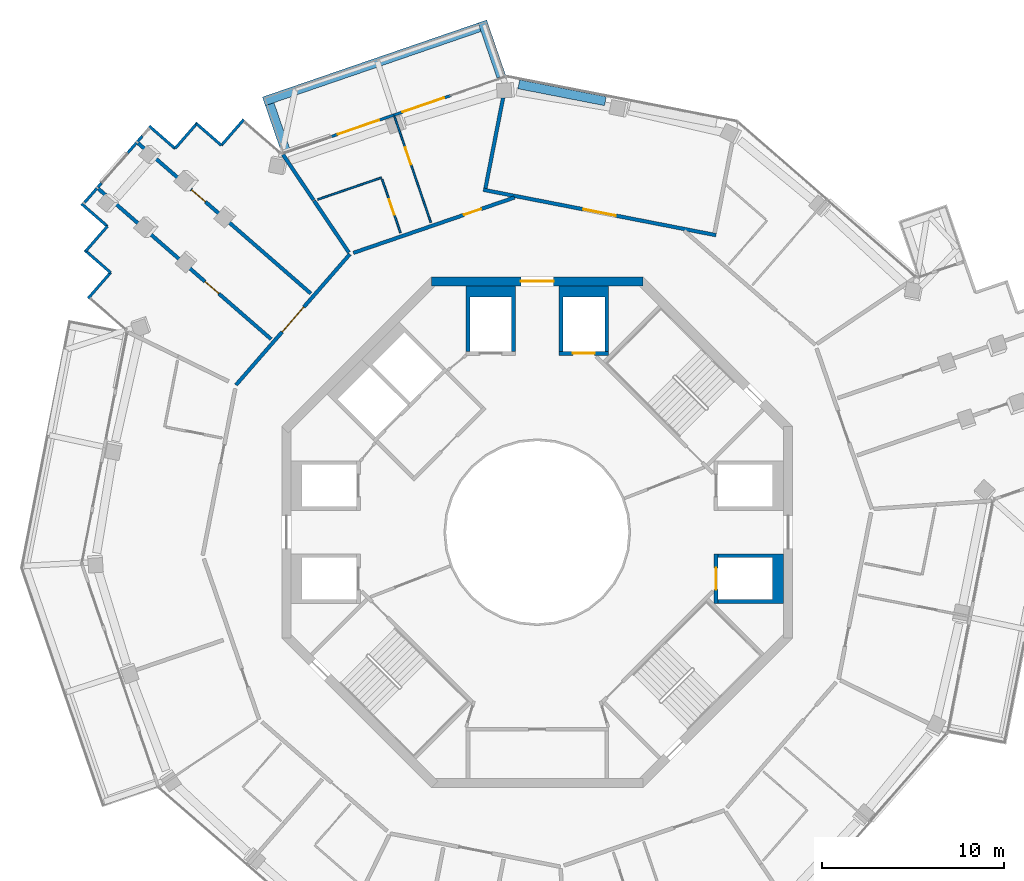
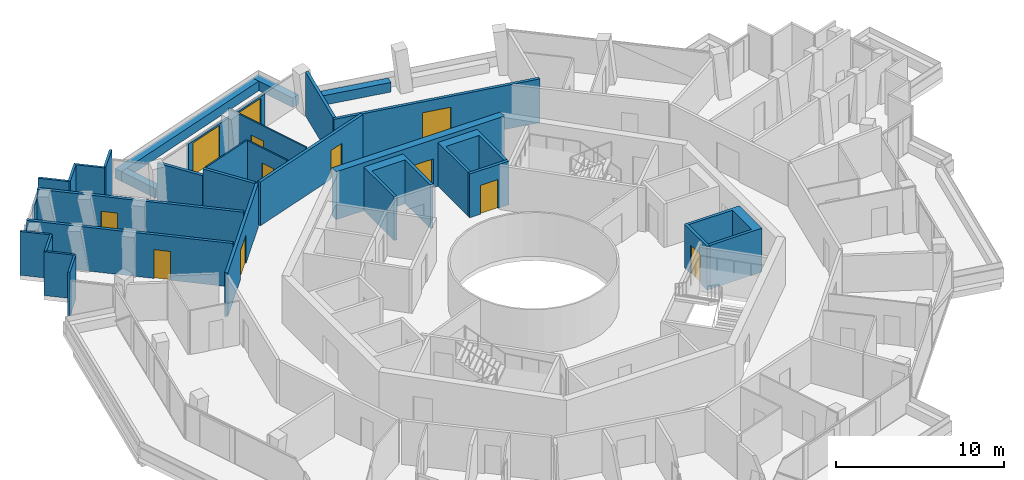
# One storey, part 17 of 22: 35 walls, 12 doors, 12 openings.
"""IFC4 building model written with IfcOpenShell, lengths in metres."""

from ifc_helpers import new_model, si_unit, direction, frame, frame_2d, origin, place, context, subcontext, project, spatial, polyline, rectangle, outline, extrude, material, layer, layer_set, type_object, element, fill, save


model = new_model("IFC4")

# Units and contexts
model_context = context("Model", 3, precision=1e-05, world=origin(), true_north=direction((0.0, 1.0)))
body_context = subcontext(model_context, "Body", "Model", "MODEL_VIEW")
ifc_project = project(units=[si_unit("LENGTHUNIT", "METRE"), si_unit("AREAUNIT", "SQUARE_METRE"), si_unit("VOLUMEUNIT", "CUBIC_METRE"), si_unit("PLANEANGLEUNIT", "RADIAN"), si_unit("MASSUNIT", "GRAM", prefix="KILO")], contexts=[model_context])

# Site, building, storey
site_placement = place(None, origin())
site = spatial("IfcSite", under=ifc_project, at=site_placement, CompositionType="ELEMENT")
building_placement = place(site_placement, origin())
building = spatial("IfcBuilding", under=site, at=building_placement, Name="Verdalira Terraces Hotel", CompositionType="ELEMENT")
storey_placement = place(building_placement, frame((0.0, 0.0, 234.0)))
storey = spatial("IfcBuildingStorey", under=building, at=storey_placement, Name="L57", CompositionType="ELEMENT", Elevation=234.0)

# Walls
ifc_material_1 = material(Name="Concrete C40", Category="concrete")
ifc_layer_1 = layer(ifc_material_1, 0.5)
ifc_layer_set_1 = layer_set([ifc_layer_1], Name="Balcony planter trough with tree")
wall_type_1 = type_object("IfcWallType", Name="Balcony planter trough with tree", PredefinedType="SOLIDWALL", material=ifc_layer_set_1)
wall_1_placement = place(storey_placement, frame((-1.971191, 24.973877, 0.0), z_axis=(0.0, 0.0, 1.0), x_axis=(-0.324892063, 0.945751102, 0.0)))
element("IfcWall", 1, at=wall_1_placement, inside=storey, type_object=wall_type_1, Name="Balcony planter", PredefinedType="SOLIDWALL", context=body_context, shape_type="SweptSolid", body=[
    extrude(rectangle(XDim=3.198975, YDim=0.5, at=frame_2d((1.599609, 0.0))), origin(), (0.0, 0.0, 1.0), 0.699951),
])
wall_2_placement = place(storey_placement, frame((-3.165771, 27.681641, 0.0), z_axis=(0.0, 0.0, 1.0), x_axis=(-0.945747002, -0.324903998, 0.0)))
element("IfcWall", 2, at=wall_2_placement, inside=storey, type_object=wall_type_1, Name="Balcony planter", PredefinedType="SOLIDWALL", context=body_context, shape_type="SweptSolid", body=[
    extrude(rectangle(XDim=12.5, YDim=0.5, at=frame_2d((6.25, 0.0))), origin(), (0.0, 0.0, 1.0), 0.699951),
])
wall_3_placement = place(storey_placement, frame((-14.669922, 23.465088, 0.0), z_axis=(0.0, 0.0, 1.0), x_axis=(0.324925551, -0.945739598, 0.0)))
element("IfcWall", 3, at=wall_3_placement, inside=storey, type_object=wall_type_1, Name="Balcony planter", PredefinedType="SOLIDWALL", context=body_context, shape_type="SweptSolid", body=[
    extrude(rectangle(XDim=2.698975, YDim=0.5, at=frame_2d((1.349609, 0.0))), origin(), (0.0, 0.0, 1.0), 0.699951),
])
ifc_material_2 = material(Name="Moisture-resistant gypsum board partition")
ifc_layer_2 = layer(ifc_material_2, 0.10009765625)
ifc_layer_set_2 = layer_set([ifc_layer_2], Name="Bathroom partition 100 mm")
wall_type_2 = type_object("IfcWallType", Name="Bathroom partition 100 mm", PredefinedType="PARTITIONING", material=ifc_layer_set_2)
wall_4_placement = place(storey_placement, frame((-8.537354, 19.439209, 0.0), z_axis=(0.0, 0.0, 1.0), x_axis=(-0.94573661, -0.324934246, 0.0)))
element("IfcWall", 4, at=wall_4_placement, inside=storey, type_object=wall_type_2, Name="Bathroom partition", PredefinedType="PARTITIONING", context=body_context, shape_type="SweptSolid", body=[
    extrude(rectangle(XDim=3.704102, YDim=0.100098, at=frame_2d((1.852051, 0.0))), origin(), (0.0, 0.0, 1.0), 3.189941),
])

# Wall, opening, door
wall_5_placement = place(storey_placement, frame((-7.497803, 16.412598, 0.0), z_axis=(0.0, 0.0, 1.0), x_axis=(-0.324861861, 0.945761477, 0.0)))
wall_5 = element("IfcWall", 5, at=wall_5_placement, inside=storey, type_object=wall_type_2, Name="Bathroom partition", PredefinedType="PARTITIONING", context=body_context, shape_type="SweptSolid", body=[
    extrude(rectangle(XDim=3.100098, YDim=0.100098, at=frame_2d((1.550049, 0.0))), origin(), (0.0, 0.0, 1.0), 3.189941),
])
opening_1_placement = place(wall_5_placement, frame((1.050049, 0.0, 0.0)))
opening_1 = element("IfcOpeningElement", 6, at=opening_1_placement, cuts=wall_5, Name="Opening L57-132", PredefinedType="OPENING", context=body_context, shape_type="SweptSolid", body=[
    extrude(rectangle(XDim=0.899902, YDim=2.100098, at=frame_2d((0.449951, 1.050049))), frame((0.0, 0.060059, 0.0), z_axis=(0.0, -1.0, 0.0), x_axis=(1.0, 0.0, 0.0)), (0.0, 0.0, 1.0), 0.120117),
])
ifc_material_3 = material(Name="Timber door", Category="wood")
door_type_1 = type_object("IfcDoorType", Name="Bathroom door 900 x 2100", OperationType="NOTDEFINED", PredefinedType="DOOR", material=ifc_material_3)
door_1_placement = place(opening_1_placement, origin())
door_1 = element("IfcDoor", 7, at=door_1_placement, inside=storey, type_object=door_type_1, Name="Bathroom door 5711", OperationType="SINGLE_SWING_RIGHT", OverallHeight=2.10009765625, OverallWidth=0.89990234375, PredefinedType="DOOR", context=body_context, shape_type="SweptSolid", body=[
    extrude(rectangle(XDim=0.899902, YDim=2.100098, at=frame_2d((0.449951, 1.050049))), frame((0.0, 0.024902, 0.0), z_axis=(0.0, -1.0, 0.0), x_axis=(1.0, 0.0, 0.0)), (0.0, 0.0, 1.0), 0.050049),
])
fill(opening_1, door_1)

wall_6_placement = place(storey_placement, frame((-5.834717, 16.983887, 0.0), z_axis=(0.0, 0.0, 1.0), x_axis=(-0.324920005, 0.945741503, 0.0)))
wall_6 = element("IfcWall", 8, at=wall_6_placement, inside=storey, type_object=wall_type_2, Name="Bathroom partition", PredefinedType="PARTITIONING", context=body_context, shape_type="SweptSolid", body=[
    extrude(rectangle(XDim=6.150146, YDim=0.100098, at=frame_2d((3.075195, 0.0))), origin(), (0.0, 0.0, 1.0), 3.189941),
])
opening_2_placement = place(wall_6_placement, frame((3.350098, 0.0, 0.0)))
opening_2 = element("IfcOpeningElement", 9, at=opening_2_placement, cuts=wall_6, Name="Opening L57-131", PredefinedType="OPENING", context=body_context, shape_type="SweptSolid", body=[
    extrude(rectangle(XDim=1.0, YDim=2.100098, at=frame_2d((0.5, 1.050049))), frame((0.0, 0.060059, 0.0), z_axis=(0.0, -1.0, 0.0), x_axis=(1.0, 0.0, 0.0)), (0.0, 0.0, 1.0), 0.120117),
])
ifc_material_4 = material(Name="Timber door", Category="wood")
door_type_2 = type_object("IfcDoorType", Name="Suite internal door 1000 x 2100", OperationType="NOTDEFINED", PredefinedType="DOOR", material=ifc_material_4)
door_2_placement = place(opening_2_placement, origin())
door_2 = element("IfcDoor", 10, at=door_2_placement, inside=storey, type_object=door_type_2, Name="Suite internal door 5711", OperationType="SINGLE_SWING_LEFT", OverallHeight=2.10009765625, OverallWidth=1.0, PredefinedType="DOOR", context=body_context, shape_type="SweptSolid", body=[
    extrude(rectangle(XDim=1.0, YDim=2.100098, at=frame_2d((0.5, 1.050049))), frame((0.0, 0.024902, 0.0), z_axis=(0.0, -1.0, 0.0), x_axis=(1.0, 0.0, 0.0)), (0.0, 0.0, 1.0), 0.050049),
])
fill(opening_2, door_2)

# Wall
ifc_material_5 = material(Name="Concrete C50", Category="concrete")
ifc_layer_3 = layer(ifc_material_5, 0.199951171875)
ifc_layer_set_3 = layer_set([ifc_layer_3], Name="Core RC wall 200 C50")
wall_type_3 = type_object("IfcWallType", Name="Core RC wall 200 C50", PredefinedType="SOLIDWALL", material=ifc_layer_set_3)
wall_7_placement = place(storey_placement, origin())
element("IfcWall", 11, at=wall_7_placement, inside=storey, type_object=wall_type_3, Name="L57 shaft wall E1", PredefinedType="SOLIDWALL", context=body_context, shape_type="SweptSolid", body=[
    extrude(outline(polyline([(13.5, -3.899902), (9.899902, -3.899902), (9.899902, -3.699951), (12.899902, -3.699951), (12.899902, -1.399902), (9.899902, -1.399902), (9.899902, -1.199951), (13.5, -1.199951), (13.5, -3.899902)])), origin(), (0.0, 0.0, 1.0), 3.189941),
])

# Wall, opening, door
wall_8_placement = place(storey_placement, frame((9.800049, -1.199951, 0.0), z_axis=(0.0, 0.0, 1.0), x_axis=(0.0, -1.0, 0.0)))
wall_8 = element("IfcWall", 12, at=wall_8_placement, inside=storey, type_object=wall_type_3, Name="L57 shaft front wall E1", PredefinedType="SOLIDWALL", context=body_context, shape_type="SweptSolid", body=[
    extrude(rectangle(XDim=2.699951, YDim=0.199951, at=frame_2d((1.350098, 0.0))), origin(), (0.0, 0.0, 1.0), 3.189941),
])
opening_3_placement = place(wall_8_placement, frame((0.75, 0.0, 0.0)))
opening_3 = element("IfcOpeningElement", 13, at=opening_3_placement, cuts=wall_8, Name="Opening LD-L57-802", PredefinedType="OPENING", context=body_context, shape_type="SweptSolid", body=[
    extrude(rectangle(XDim=1.199951, YDim=2.100098, at=frame_2d((0.600098, 1.050049))), frame((0.0, 0.109863, 0.0), z_axis=(0.0, -1.0, 0.0), x_axis=(1.0, 0.0, 0.0)), (0.0, 0.0, 1.0), 0.219971),
])
ifc_material_6 = material(Name="Stainless steel", Category="steel")
door_type_3 = type_object("IfcDoorType", Name="Landing door 1200 x 2100", OperationType="NOTDEFINED", PredefinedType="DOOR", material=ifc_material_6)
door_3_placement = place(opening_3_placement, origin())
door_3 = element("IfcDoor", 14, at=door_3_placement, inside=storey, type_object=door_type_3, Name="Lift landing door HR1 L57", OperationType="DOUBLE_DOOR_SLIDING", OverallHeight=2.10009765625, OverallWidth=1.199951171875, PredefinedType="DOOR", context=body_context, shape_type="SweptSolid", body=[
    extrude(rectangle(XDim=1.199951, YDim=2.100098, at=frame_2d((0.600098, 1.050049))), frame((0.0, 0.024902, 0.0), z_axis=(0.0, -1.0, 0.0), x_axis=(1.0, 0.0, 0.0)), (0.0, 0.0, 1.0), 0.050049),
])
fill(opening_3, door_3)

# Wall
wall_9_placement = place(storey_placement, origin())
element("IfcWall", 15, at=wall_9_placement, inside=storey, type_object=wall_type_3, Name="L57 shaft wall N1", PredefinedType="SOLIDWALL", context=body_context, shape_type="SweptSolid", body=[
    extrude(outline(polyline([(3.899902, 9.899902), (3.699951, 9.899902), (3.699951, 12.899902), (1.399902, 12.899902), (1.399902, 9.899902), (1.199951, 9.899902), (1.199951, 13.5), (3.899902, 13.5), (3.899902, 9.899902)])), origin(), (0.0, 0.0, 1.0), 3.189941),
])

# Wall, opening, door
wall_10_placement = place(storey_placement, frame((1.199951, 9.800049, 0.0), z_axis=(0.0, 0.0, 1.0), x_axis=(1.0, 0.0, 0.0)))
wall_10 = element("IfcWall", 16, at=wall_10_placement, inside=storey, type_object=wall_type_3, Name="L57 shaft front wall N1", PredefinedType="SOLIDWALL", context=body_context, shape_type="SweptSolid", body=[
    extrude(rectangle(XDim=2.699951, YDim=0.199951, at=frame_2d((1.350098, 0.0))), origin(), (0.0, 0.0, 1.0), 3.189941),
])
opening_4_placement = place(wall_10_placement, frame((0.75, 0.0, 0.0)))
opening_4 = element("IfcOpeningElement", 17, at=opening_4_placement, cuts=wall_10, Name="Opening LD-L57-804", PredefinedType="OPENING", context=body_context, shape_type="SweptSolid", body=[
    extrude(rectangle(XDim=1.199951, YDim=2.100098, at=frame_2d((0.600098, 1.050049))), frame((0.0, 0.109863, 0.0), z_axis=(0.0, -1.0, 0.0), x_axis=(1.0, 0.0, 0.0)), (0.0, 0.0, 1.0), 0.219971),
])
door_4_placement = place(opening_4_placement, origin())
door_4 = element("IfcDoor", 18, at=door_4_placement, inside=storey, type_object=door_type_3, Name="Lift landing door HR3 L57", OperationType="DOUBLE_DOOR_SLIDING", OverallHeight=2.10009765625, OverallWidth=1.199951171875, PredefinedType="DOOR", context=body_context, shape_type="SweptSolid", body=[
    extrude(rectangle(XDim=1.199951, YDim=2.100098, at=frame_2d((0.600098, 1.050049))), frame((0.0, 0.024902, 0.0), z_axis=(0.0, -1.0, 0.0), x_axis=(1.0, 0.0, 0.0)), (0.0, 0.0, 1.0), 0.050049),
])
fill(opening_4, door_4)

# Wall
wall_11_placement = place(storey_placement, origin())
element("IfcWall", 19, at=wall_11_placement, inside=storey, type_object=wall_type_3, Name="L57 shaft wall N2", PredefinedType="SOLIDWALL", context=body_context, shape_type="SweptSolid", body=[
    extrude(outline(polyline([(-3.899902, 13.5), (-1.199951, 13.5), (-1.199951, 9.899902), (-1.399902, 9.899902), (-1.399902, 12.899902), (-3.699951, 12.899902), (-3.699951, 9.899902), (-3.899902, 9.899902), (-3.899902, 13.5)])), origin(), (0.0, 0.0, 1.0), 3.189941),
])

# Wall, opening, door
ifc_material_7 = material(Name="Concrete C50", Category="concrete")
ifc_layer_4 = layer(ifc_material_7, 0.5)
ifc_layer_set_4 = layer_set([ifc_layer_4], Name="Core wall 500 C50")
wall_type_4 = type_object("IfcWallType", Name="Core wall 500 C50", PredefinedType="SHEAR", material=ifc_layer_set_4)
wall_12_placement = place(storey_placement, frame((5.799072, 13.75, 0.0), z_axis=(0.0, 0.0, 1.0), x_axis=(-1.0, 0.0, 0.0)))
wall_12 = element("IfcWall", 20, at=wall_12_placement, inside=storey, type_object=wall_type_4, Name="Core wall CW-L57-3", PredefinedType="SHEAR", context=body_context, shape_type="SweptSolid", body=[
    extrude(rectangle(XDim=11.598145, YDim=0.5, at=frame_2d((5.799072, 0.0))), origin(), (0.0, 0.0, 1.0), 3.5),
])
opening_5_placement = place(wall_12_placement, frame((4.898926, 0.0, 0.0)))
opening_5 = element("IfcOpeningElement", 21, at=opening_5_placement, cuts=wall_12, Name="Opening L57-814", PredefinedType="OPENING", context=body_context, shape_type="SweptSolid", body=[
    extrude(rectangle(XDim=1.800049, YDim=2.100098, at=frame_2d((0.899902, 1.050049))), frame((0.0, 0.26001, 0.0), z_axis=(0.0, -1.0, 0.0), x_axis=(1.0, 0.0, 0.0)), (0.0, 0.0, 1.0), 0.52002),
])
ifc_material_8 = material(Name="Steel fire door", Category="steel")
door_type_4 = type_object("IfcDoorType", Name="Core entry door pair 1800 x 2100", OperationType="NOTDEFINED", PredefinedType="DOOR", material=ifc_material_8)
door_5_placement = place(opening_5_placement, origin())
door_5 = element("IfcDoor", 22, at=door_5_placement, inside=storey, type_object=door_type_4, Name="Core entry door L57 2", OperationType="DOUBLE_DOOR_SINGLE_SWING", OverallHeight=2.10009765625, OverallWidth=1.800048828125, PredefinedType="DOOR", context=body_context, shape_type="SweptSolid", body=[
    extrude(rectangle(XDim=1.800049, YDim=2.100098, at=frame_2d((0.899902, 1.050049))), frame((0.0, 0.024902, 0.0), z_axis=(0.0, -1.0, 0.0), x_axis=(1.0, 0.0, 0.0)), (0.0, 0.0, 1.0), 0.050049),
])
fill(opening_5, door_5)

ifc_material_9 = material(Name="Fire-rated gypsum board wall")
ifc_layer_5 = layer(ifc_material_9, 0.199951171875)
ifc_layer_set_5 = layer_set([ifc_layer_5], Name="Demising wall 200 mm")
wall_type_5 = type_object("IfcWallType", Name="Demising wall 200 mm", PredefinedType="SOLIDWALL", material=ifc_layer_set_5)
wall_13_placement = place(storey_placement, frame((-14.594238, 10.585938, 0.0), z_axis=(0.0, 0.0, 1.0), x_axis=(-0.754250867, 0.656586346, 0.0)))
wall_13 = element("IfcWall", 23, at=wall_13_placement, inside=storey, type_object=wall_type_5, Name="Demising wall", PredefinedType="SOLIDWALL", context=body_context, shape_type="SweptSolid", body=[
    extrude(rectangle(XDim=12.556396, YDim=0.199951, at=frame_2d((6.27832, 0.0))), origin(), (0.0, 0.0, 1.0), 3.189941),
])
opening_6_placement = place(wall_13_placement, frame((3.800049, 0.0, 0.0)))
opening_6 = element("IfcOpeningElement", 24, at=opening_6_placement, cuts=wall_13, Name="Opening L57-103", PredefinedType="OPENING", context=body_context, shape_type="SweptSolid", body=[
    extrude(rectangle(XDim=1.0, YDim=2.100098, at=frame_2d((0.5, 1.050049))), frame((0.0, 0.109863, 0.0), z_axis=(0.0, -1.0, 0.0), x_axis=(1.0, 0.0, 0.0)), (0.0, 0.0, 1.0), 0.219971),
])
ifc_material_10 = material(Name="Timber fire door", Category="wood")
door_type_5 = type_object("IfcDoorType", Name="Public room door 1000 x 2100", OperationType="NOTDEFINED", PredefinedType="DOOR", material=ifc_material_10)
door_6_placement = place(opening_6_placement, origin())
door_6 = element("IfcDoor", 25, at=door_6_placement, inside=storey, type_object=door_type_5, Name="Public room door 5701", OperationType="SINGLE_SWING_LEFT", OverallHeight=2.10009765625, OverallWidth=1.0, PredefinedType="DOOR", context=body_context, shape_type="SweptSolid", body=[
    extrude(rectangle(XDim=1.0, YDim=2.100098, at=frame_2d((0.5, 1.050049))), frame((0.0, 0.024902, 0.0), z_axis=(0.0, -1.0, 0.0), x_axis=(1.0, 0.0, 0.0)), (0.0, 0.0, 1.0), 0.050049),
])
fill(opening_6, door_6)

wall_14_placement = place(storey_placement, frame((-21.888672, 21.330566, 0.0), z_axis=(0.0, 0.0, 1.0), x_axis=(0.754259249, -0.656576717, 0.0)))
wall_14 = element("IfcWall", 26, at=wall_14_placement, inside=storey, type_object=wall_type_5, Name="Demising wall", PredefinedType="SOLIDWALL", context=body_context, shape_type="SweptSolid", body=[
    extrude(rectangle(XDim=12.556641, YDim=0.199951, at=frame_2d((6.27832, 0.0))), origin(), (0.0, 0.0, 1.0), 3.189941),
])
opening_7_placement = place(wall_14_placement, frame((3.899902, 0.0, 0.0)))
opening_7 = element("IfcOpeningElement", 27, at=opening_7_placement, cuts=wall_14, Name="Opening L57-102", PredefinedType="OPENING", context=body_context, shape_type="SweptSolid", body=[
    extrude(rectangle(XDim=1.0, YDim=2.100098, at=frame_2d((0.5, 1.050049))), frame((0.0, 0.109863, 0.0), z_axis=(0.0, -1.0, 0.0), x_axis=(1.0, 0.0, 0.0)), (0.0, 0.0, 1.0), 0.219971),
])
door_7_placement = place(opening_7_placement, origin())
door_7 = element("IfcDoor", 28, at=door_7_placement, inside=storey, type_object=door_type_5, Name="Public room door 5701", OperationType="SINGLE_SWING_LEFT", OverallHeight=2.10009765625, OverallWidth=1.0, PredefinedType="DOOR", context=body_context, shape_type="SweptSolid", body=[
    extrude(rectangle(XDim=1.0, YDim=2.100098, at=frame_2d((0.5, 1.050049))), frame((0.0, 0.024902, 0.0), z_axis=(0.0, -1.0, 0.0), x_axis=(1.0, 0.0, 0.0)), (0.0, 0.0, 1.0), 0.050049),
])
fill(opening_7, door_7)

# Walls
wall_15_placement = place(storey_placement, frame((-12.237305, 18.169922, 0.0), z_axis=(0.0, 0.0, 1.0), x_axis=(0.558600379, -0.829436927, 0.0)))
element("IfcWall", 29, at=wall_15_placement, inside=storey, type_object=wall_type_5, Name="Demising wall", PredefinedType="SOLIDWALL", context=body_context, shape_type="SweptSolid", body=[
    extrude(rectangle(XDim=3.418213, YDim=0.199951, at=frame_2d((1.708984, 0.0))), origin(), (0.0, 0.0, 1.0), 3.189941),
])
ifc_material_11 = material(Name="Fire-rated gypsum board wall")
ifc_layer_6 = layer(ifc_material_11, 0.199951171875)
ifc_layer_set_6 = layer_set([ifc_layer_6], Name="Demising wall 200 mm to beam soffit")
wall_type_6 = type_object("IfcWallType", Name="Demising wall 200 mm to beam soffit", PredefinedType="SOLIDWALL", material=ifc_layer_set_6)
wall_16_placement = place(storey_placement, frame((-13.945312, 20.705811, 0.0), z_axis=(0.0, 0.0, 1.0), x_axis=(0.558585582, -0.829446893, 0.0)))
element("IfcWall", 30, at=wall_16_placement, inside=storey, type_object=wall_type_6, Name="Demising wall", PredefinedType="SOLIDWALL", context=body_context, shape_type="SweptSolid", body=[
    extrude(rectangle(XDim=3.011475, YDim=0.199951, at=frame_2d((1.505859, 0.0))), origin(), (0.0, 0.0, 1.0), 2.689941),
])

# Wall, opening, door
ifc_material_12 = material(Name="Fire-rated gypsum board wall")
ifc_layer_7 = layer(ifc_material_12, 0.199951171875)
ifc_layer_set_7 = layer_set([ifc_layer_7], Name="Guest corridor wall 200 mm")
wall_type_7 = type_object("IfcWallType", Name="Guest corridor wall 200 mm", PredefinedType="SOLIDWALL", material=ifc_layer_set_7)
wall_17_placement = place(storey_placement, frame((-16.518555, 8.070801, 0.0), z_axis=(0.0, 0.0, 1.0), x_axis=(0.656586376, 0.754250841, 0.0)))
wall_17 = element("IfcWall", 31, at=wall_17_placement, inside=storey, type_object=wall_type_7, Name="Guest corridor wall", PredefinedType="SOLIDWALL", context=body_context, shape_type="SweptSolid", body=[
    extrude(rectangle(XDim=9.516602, YDim=0.199951, at=frame_2d((4.758301, 0.0))), origin(), (0.0, 0.0, 1.0), 3.189941),
])
opening_8_placement = place(wall_17_placement, frame((3.860596, 0.0, 0.0)))
opening_8 = element("IfcOpeningElement", 32, at=opening_8_placement, cuts=wall_17, Name="Opening L57-101", PredefinedType="OPENING", context=body_context, shape_type="SweptSolid", body=[
    extrude(rectangle(XDim=1.800049, YDim=2.100098, at=frame_2d((0.899902, 1.050049))), frame((0.0, 0.109863, 0.0), z_axis=(0.0, -1.0, 0.0), x_axis=(1.0, 0.0, 0.0)), (0.0, 0.0, 1.0), 0.219971),
])
ifc_material_13 = material(Name="Timber fire door", Category="wood")
door_type_6 = type_object("IfcDoorType", Name="Public room double door 1800 x 2100", OperationType="NOTDEFINED", PredefinedType="DOOR", material=ifc_material_13)
door_8_placement = place(opening_8_placement, origin())
door_8 = element("IfcDoor", 33, at=door_8_placement, inside=storey, type_object=door_type_6, Name="Public room double door 5701", OperationType="DOUBLE_DOOR_SINGLE_SWING", OverallHeight=2.10009765625, OverallWidth=1.800048828125, PredefinedType="DOOR", context=body_context, shape_type="SweptSolid", body=[
    extrude(rectangle(XDim=1.800049, YDim=2.100098, at=frame_2d((0.899902, 1.050049))), frame((0.0, 0.024902, 0.0), z_axis=(0.0, -1.0, 0.0), x_axis=(1.0, 0.0, 0.0)), (0.0, 0.0, 1.0), 0.050049),
])
fill(opening_8, door_8)

wall_18_placement = place(storey_placement, frame((-10.080811, 15.313721, 0.0), z_axis=(0.0, 0.0, 1.0), x_axis=(0.945740847, 0.324921914, 0.0)))
wall_18 = element("IfcWall", 34, at=wall_18_placement, inside=storey, type_object=wall_type_7, Name="Guest corridor wall", PredefinedType="SOLIDWALL", context=body_context, shape_type="SweptSolid", body=[
    extrude(rectangle(XDim=9.33667, YDim=0.199951, at=frame_2d((4.668457, 0.0))), origin(), (0.0, 0.0, 1.0), 3.189941),
])
opening_9_placement = place(wall_18_placement, frame((6.408203, 0.0, 0.0)))
opening_9 = element("IfcOpeningElement", 35, at=opening_9_placement, cuts=wall_18, Name="Opening L57-130", PredefinedType="OPENING", context=body_context, shape_type="SweptSolid", body=[
    extrude(rectangle(XDim=1.0, YDim=2.100098, at=frame_2d((0.5, 1.050049))), frame((0.0, 0.109863, 0.0), z_axis=(0.0, -1.0, 0.0), x_axis=(1.0, 0.0, 0.0)), (0.0, 0.0, 1.0), 0.219971),
])
ifc_material_14 = material(Name="Timber fire door", Category="wood")
door_type_7 = type_object("IfcDoorType", Name="Guest entry door 1000 x 2100", OperationType="NOTDEFINED", PredefinedType="DOOR", material=ifc_material_14)
door_9_placement = place(opening_9_placement, origin())
door_9 = element("IfcDoor", 36, at=door_9_placement, inside=storey, type_object=door_type_7, Name="Guest entry door 5711", OperationType="SINGLE_SWING_LEFT", OverallHeight=2.10009765625, OverallWidth=1.0, PredefinedType="DOOR", context=body_context, shape_type="SweptSolid", body=[
    extrude(rectangle(XDim=1.0, YDim=2.100098, at=frame_2d((0.5, 1.050049))), frame((0.0, 0.024902, 0.0), z_axis=(0.0, -1.0, 0.0), x_axis=(1.0, 0.0, 0.0)), (0.0, 0.0, 1.0), 0.050049),
])
fill(opening_9, door_9)

ifc_material_15 = material(Name="Terracotta cladding", Category="masonry")
ifc_layer_8 = layer(ifc_material_15, 0.199951171875)
ifc_layer_set_8 = layer_set([ifc_layer_8], Name="Loggia back wall 200")
wall_type_8 = type_object("IfcWallType", Name="Loggia back wall 200", PredefinedType="SOLIDWALL", material=ifc_layer_set_8)
wall_19_placement = place(storey_placement, frame((-2.959961, 18.772461, 0.0), z_axis=(0.0, 0.0, 1.0), x_axis=(0.981496446, -0.191480354, 0.0)))
wall_19 = element("IfcWall", 37, at=wall_19_placement, inside=storey, type_object=wall_type_8, Name="Loggia back wall", PredefinedType="SOLIDWALL", context=body_context, shape_type="SweptSolid", body=[
    extrude(rectangle(XDim=13.0, YDim=0.199951, at=frame_2d((6.5, 0.0))), origin(), (0.0, 0.0, 1.0), 3.189941),
])
opening_10_placement = place(wall_19_placement, frame((5.600098, 0.0, 0.0)))
opening_10 = element("IfcOpeningElement", 38, at=opening_10_placement, cuts=wall_19, Name="Opening L57-L01", PredefinedType="OPENING", context=body_context, shape_type="SweptSolid", body=[
    extrude(rectangle(XDim=1.800049, YDim=2.399902, at=frame_2d((0.899902, 1.199951))), frame((0.0, 0.109863, 0.0), z_axis=(0.0, -1.0, 0.0), x_axis=(1.0, 0.0, 0.0)), (0.0, 0.0, 1.0), 0.219971),
])
ifc_material_16 = material(Name="Clear glass", Category="glass")
door_type_8 = type_object("IfcDoorType", Name="Garden double door 1800x2400", OperationType="NOTDEFINED", PredefinedType="DOOR", material=ifc_material_16)
door_10_placement = place(opening_10_placement, origin())
door_10 = element("IfcDoor", 39, at=door_10_placement, inside=storey, type_object=door_type_8, Name="Loggia double door", OperationType="DOUBLE_DOOR_SINGLE_SWING", OverallHeight=2.39990234375, OverallWidth=1.800048828125, PredefinedType="DOOR", context=body_context, shape_type="SweptSolid", body=[
    extrude(rectangle(XDim=1.800049, YDim=2.399902, at=frame_2d((0.899902, 1.199951))), frame((0.0, 0.024902, 0.0), z_axis=(0.0, -1.0, 0.0), x_axis=(1.0, 0.0, 0.0)), (0.0, 0.0, 1.0), 0.050049),
])
fill(opening_10, door_10)

# Walls
wall_20_placement = place(storey_placement, frame((-1.875244, 23.810059, 0.0), z_axis=(0.0, 0.0, 1.0), x_axis=(-0.191467212, -0.98149901, 0.0)))
element("IfcWall", 40, at=wall_20_placement, inside=storey, type_object=wall_type_8, Name="Loggia side wall", PredefinedType="SOLIDWALL", context=body_context, shape_type="SweptSolid", body=[
    extrude(rectangle(XDim=5.052002, YDim=0.199951, at=frame_2d((2.525879, 0.0))), origin(), (0.0, 0.0, 1.0), 3.189941),
])
ifc_material_17 = material(Name="Concrete C40", Category="concrete")
ifc_layer_9 = layer(ifc_material_17, 0.5)
ifc_layer_set_9 = layer_set([ifc_layer_9], Name="Loggia planter trough with tree")
wall_type_9 = type_object("IfcWallType", Name="Loggia planter trough with tree", PredefinedType="SOLIDWALL", material=ifc_layer_set_9)
wall_21_placement = place(storey_placement, frame((3.73291, 23.630859, 0.0), z_axis=(0.0, 0.0, 1.0), x_axis=(-0.981492444, 0.191500867, 0.0)))
element("IfcWall", 41, at=wall_21_placement, inside=storey, type_object=wall_type_9, Name="Loggia planter", PredefinedType="SOLIDWALL", context=body_context, shape_type="SweptSolid", body=[
    extrude(rectangle(XDim=4.834229, YDim=0.5, at=frame_2d((2.416992, 0.0))), origin(), (0.0, 0.0, 1.0), 0.699951),
])
ifc_material_18 = material(Name="Terracotta cladding", Category="masonry")
ifc_layer_10 = layer(ifc_material_18, 0.14990234375)
ifc_layer_set_10 = layer_set([ifc_layer_10], Name="Terracotta clad wall 150")
wall_type_10 = type_object("IfcWallType", Name="Terracotta clad wall 150", PredefinedType="SOLIDWALL", material=ifc_layer_set_10)
wall_22_placement = place(storey_placement, frame((-16.089355, 22.623779, 0.0), z_axis=(0.0, 0.0, 1.0), x_axis=(-0.65659444, -0.754243821, 0.0)))
element("IfcWall", 42, at=wall_22_placement, inside=storey, type_object=wall_type_10, Name="Terracotta cladding wall", PredefinedType="SOLIDWALL", context=body_context, shape_type="SweptSolid", body=[
    extrude(rectangle(XDim=1.875244, YDim=0.149902, at=frame_2d((0.9375, 0.0))), origin(), (0.0, 0.0, 1.0), 3.189941),
])
wall_23_placement = place(storey_placement, frame((-17.320557, 21.209473, 0.0), z_axis=(0.0, 0.0, 1.0), x_axis=(-0.754187775, 0.656658816, 0.0)))
element("IfcWall", 43, at=wall_23_placement, inside=storey, type_object=wall_type_10, Name="Terracotta cladding wall", PredefinedType="SOLIDWALL", context=body_context, shape_type="SweptSolid", body=[
    extrude(rectangle(XDim=1.799805, YDim=0.149902, at=frame_2d((0.899902, 0.0))), origin(), (0.0, 0.0, 1.0), 3.189941),
])
wall_24_placement = place(storey_placement, frame((-18.628906, 22.447998, 0.0), z_axis=(0.0, 0.0, 1.0), x_axis=(-0.656520362, -0.754308302, 0.0)))
element("IfcWall", 44, at=wall_24_placement, inside=storey, type_object=wall_type_10, Name="Terracotta cladding wall", PredefinedType="SOLIDWALL", context=body_context, shape_type="SweptSolid", body=[
    extrude(rectangle(XDim=1.875, YDim=0.149902, at=frame_2d((0.9375, 0.0))), origin(), (0.0, 0.0, 1.0), 3.189941),
])
for number, where, z_axis, x_axis, name in (
    (45, (-19.859863, 21.033691, 0.0), (0.0, 0.0, 1.0), (-0.754243821, 0.65659444, 0.0), "Terracotta cladding wall"),
    (46, (-24.983887, 18.003418, 0.0), (0.0, 0.0, 1.0), (0.754243821, -0.65659444, 0.0), "Terracotta cladding wall"),
):
    element("IfcWall", number, at=place(storey_placement, frame(where, z_axis=z_axis, x_axis=x_axis)), inside=storey, type_object=wall_type_10, Name=name, PredefinedType="SOLIDWALL", context=body_context, shape_type="SweptSolid", body=[
        extrude(rectangle(XDim=1.875244, YDim=0.149902, at=frame_2d((0.9375, 0.0))), origin(), (0.0, 0.0, 1.0), 3.189941),
    ])
wall_25_placement = place(storey_placement, frame((-23.56958, 16.772217, 0.0), z_axis=(0.0, 0.0, 1.0), x_axis=(-0.656591643, -0.754246256, 0.0)))
element("IfcWall", 47, at=wall_25_placement, inside=storey, type_object=wall_type_10, Name="Terracotta cladding wall", PredefinedType="SOLIDWALL", context=body_context, shape_type="SweptSolid", body=[
    extrude(rectangle(XDim=1.800049, YDim=0.149902, at=frame_2d((0.899902, 0.0))), origin(), (0.0, 0.0, 1.0), 3.189941),
])
wall_26_placement = place(storey_placement, frame((-24.808105, 15.463867, 0.0), z_axis=(0.0, 0.0, 1.0), x_axis=(0.754243821, -0.65659444, 0.0)))
element("IfcWall", 48, at=wall_26_placement, inside=storey, type_object=wall_type_10, Name="Terracotta cladding wall", PredefinedType="SOLIDWALL", context=body_context, shape_type="SweptSolid", body=[
    extrude(rectangle(XDim=1.875244, YDim=0.149902, at=frame_2d((0.9375, 0.0))), origin(), (0.0, 0.0, 1.0), 3.189941),
])
wall_27_placement = place(storey_placement, frame((-23.393799, 14.232666, 0.0), z_axis=(0.0, 0.0, 1.0), x_axis=(-0.656658923, -0.754187682, 0.0)))
element("IfcWall", 49, at=wall_27_placement, inside=storey, type_object=wall_type_10, Name="Terracotta cladding wall", PredefinedType="SOLIDWALL", context=body_context, shape_type="SweptSolid", body=[
    extrude(rectangle(XDim=1.875, YDim=0.149902, at=frame_2d((0.9375, 0.0))), origin(), (0.0, 0.0, 1.0), 3.189941),
])
ifc_material_19 = material(Name="Terracotta cladding", Category="masonry")
ifc_layer_11 = layer(ifc_material_19, 0.14990234375)
ifc_layer_set_11 = layer_set([ifc_layer_11], Name="Terracotta column pier 150")
wall_type_11 = type_object("IfcWallType", Name="Terracotta column pier 150", PredefinedType="SOLIDWALL", material=ifc_layer_set_11)
wall_28_placement = place(storey_placement, frame((-21.654297, 21.714111, 0.0), z_axis=(0.0, 0.0, 1.0), x_axis=(-0.656358586, -0.754449075, 0.0)))
element("IfcWall", 50, at=wall_28_placement, inside=storey, type_object=wall_type_11, Name="Terracotta column pier", PredefinedType="SOLIDWALL", context=body_context, shape_type="SweptSolid", body=[
    extrude(rectangle(XDim=0.40332, YDim=0.149902, at=frame_2d((0.20166, 0.0))), origin(), (0.0, 0.0, 1.0), 2.524902),
])
wall_29_placement = place(storey_placement, frame((-21.971436, 21.349609, 0.0), z_axis=(0.0, 0.0, 1.0), x_axis=(-0.656653762, -0.754192175, 0.0)))
element("IfcWall", 51, at=wall_29_placement, inside=storey, type_object=wall_type_11, Name="Terracotta column pier", PredefinedType="SOLIDWALL", context=body_context, shape_type="SweptSolid", body=[
    extrude(rectangle(XDim=0.775879, YDim=0.149902, at=frame_2d((0.387939, 0.0))), origin(), (0.0, 0.0, 1.0), 2.524902),
])
wall_30_placement = place(storey_placement, frame((-23.898438, 19.13623, 0.0), z_axis=(0.0, 0.0, 1.0), x_axis=(-0.656138405, -0.754640572, 0.0)))
element("IfcWall", 52, at=wall_30_placement, inside=storey, type_object=wall_type_11, Name="Terracotta column pier", PredefinedType="SOLIDWALL", context=body_context, shape_type="SweptSolid", body=[
    extrude(rectangle(XDim=0.299805, YDim=0.149902, at=frame_2d((0.149902, 0.0))), origin(), (0.0, 0.0, 1.0), 2.524902),
])
wall_31_placement = place(storey_placement, frame((-24.147949, 18.849609, 0.0), z_axis=(0.0, 0.0, 1.0), x_axis=(-0.656442222, -0.754376305, 0.0)))
element("IfcWall", 53, at=wall_31_placement, inside=storey, type_object=wall_type_11, Name="Terracotta column pier", PredefinedType="SOLIDWALL", context=body_context, shape_type="SweptSolid", body=[
    extrude(rectangle(XDim=1.031982, YDim=0.149902, at=frame_2d((0.516113, 0.0))), origin(), (0.0, 0.0, 1.0), 2.524902),
])

# Wall, opening, door
ifc_material_20 = material(Name="Terracotta cladding", Category="masonry")
ifc_layer_12 = layer(ifc_material_20, 0.14990234375)
ifc_layer_set_12 = layer_set([ifc_layer_12], Name="Terracotta door pier 150")
wall_type_12 = type_object("IfcWallType", Name="Terracotta door pier 150", PredefinedType="SOLIDWALL", material=ifc_layer_set_12)
wall_32_placement = place(storey_placement, frame((-4.736328, 23.943359, 0.0), z_axis=(0.0, 0.0, 1.0), x_axis=(-0.945766173, -0.32484819, 0.0)))
wall_32 = element("IfcWall", 54, at=wall_32_placement, inside=storey, type_object=wall_type_12, Name="Terracotta door pier", PredefinedType="SOLIDWALL", context=body_context, shape_type="SweptSolid", body=[
    extrude(rectangle(XDim=3.300049, YDim=0.149902, at=frame_2d((1.649902, 0.0))), origin(), (0.0, 0.0, 1.0), 2.524902),
])
opening_11_placement = place(wall_32_placement, frame((0.399902, 0.0, 0.0)))
opening_11 = element("IfcOpeningElement", 55, at=opening_11_placement, cuts=wall_32, Name="Opening L57-B14", PredefinedType="OPENING", context=body_context, shape_type="SweptSolid", body=[
    extrude(rectangle(XDim=2.399902, YDim=2.399902, at=frame_2d((1.199951, 1.199951))), frame((0.0, 0.084961, 0.0), z_axis=(0.0, -1.0, 0.0), x_axis=(1.0, 0.0, 0.0)), (0.0, 0.0, 1.0), 0.169922),
])
ifc_material_21 = material(Name="Clear glass", Category="glass")
door_type_9 = type_object("IfcDoorType", Name="Balcony sliding door 2400x2400", OperationType="NOTDEFINED", PredefinedType="DOOR", material=ifc_material_21)
door_11_placement = place(opening_11_placement, origin())
door_11 = element("IfcDoor", 56, at=door_11_placement, inside=storey, type_object=door_type_9, Name="Balcony sliding door", OperationType="SLIDING_TO_RIGHT", OverallHeight=2.39990234375, OverallWidth=2.39990234375, PredefinedType="DOOR", context=body_context, shape_type="SweptSolid", body=[
    extrude(rectangle(XDim=2.399902, YDim=2.399902, at=frame_2d((1.199951, 1.199951))), frame((0.0, 0.024902, 0.0), z_axis=(0.0, -1.0, 0.0), x_axis=(1.0, 0.0, 0.0)), (0.0, 0.0, 1.0), 0.050049),
])
fill(opening_11, door_11)

wall_33_placement = place(storey_placement, frame((-7.857422, 22.871338, 0.0), z_axis=(0.0, 0.0, 1.0), x_axis=(-0.945735915, -0.32493627, 0.0)))
wall_33 = element("IfcWall", 57, at=wall_33_placement, inside=storey, type_object=wall_type_12, Name="Terracotta door pier", PredefinedType="SOLIDWALL", context=body_context, shape_type="SweptSolid", body=[
    extrude(rectangle(XDim=3.661377, YDim=0.149902, at=frame_2d((1.830566, 0.0))), origin(), (0.0, 0.0, 1.0), 2.524902),
])
opening_12_placement = place(wall_33_placement, frame((0.861328, 0.0, 0.0)))
opening_12 = element("IfcOpeningElement", 58, at=opening_12_placement, cuts=wall_33, Name="Opening L57-B15", PredefinedType="OPENING", context=body_context, shape_type="SweptSolid", body=[
    extrude(rectangle(XDim=2.399902, YDim=2.399902, at=frame_2d((1.199951, 1.199951))), frame((0.0, 0.084961, 0.0), z_axis=(0.0, -1.0, 0.0), x_axis=(1.0, 0.0, 0.0)), (0.0, 0.0, 1.0), 0.169922),
])
door_12_placement = place(opening_12_placement, origin())
door_12 = element("IfcDoor", 59, at=door_12_placement, inside=storey, type_object=door_type_9, Name="Balcony sliding door", OperationType="SLIDING_TO_LEFT", OverallHeight=2.39990234375, OverallWidth=2.39990234375, PredefinedType="DOOR", context=body_context, shape_type="SweptSolid", body=[
    extrude(rectangle(XDim=2.399902, YDim=2.399902, at=frame_2d((1.199951, 1.199951))), frame((0.0, 0.024902, 0.0), z_axis=(0.0, -1.0, 0.0), x_axis=(1.0, 0.0, 0.0)), (0.0, 0.0, 1.0), 0.050049),
])
fill(opening_12, door_12)

save(model, "model.ifc")
